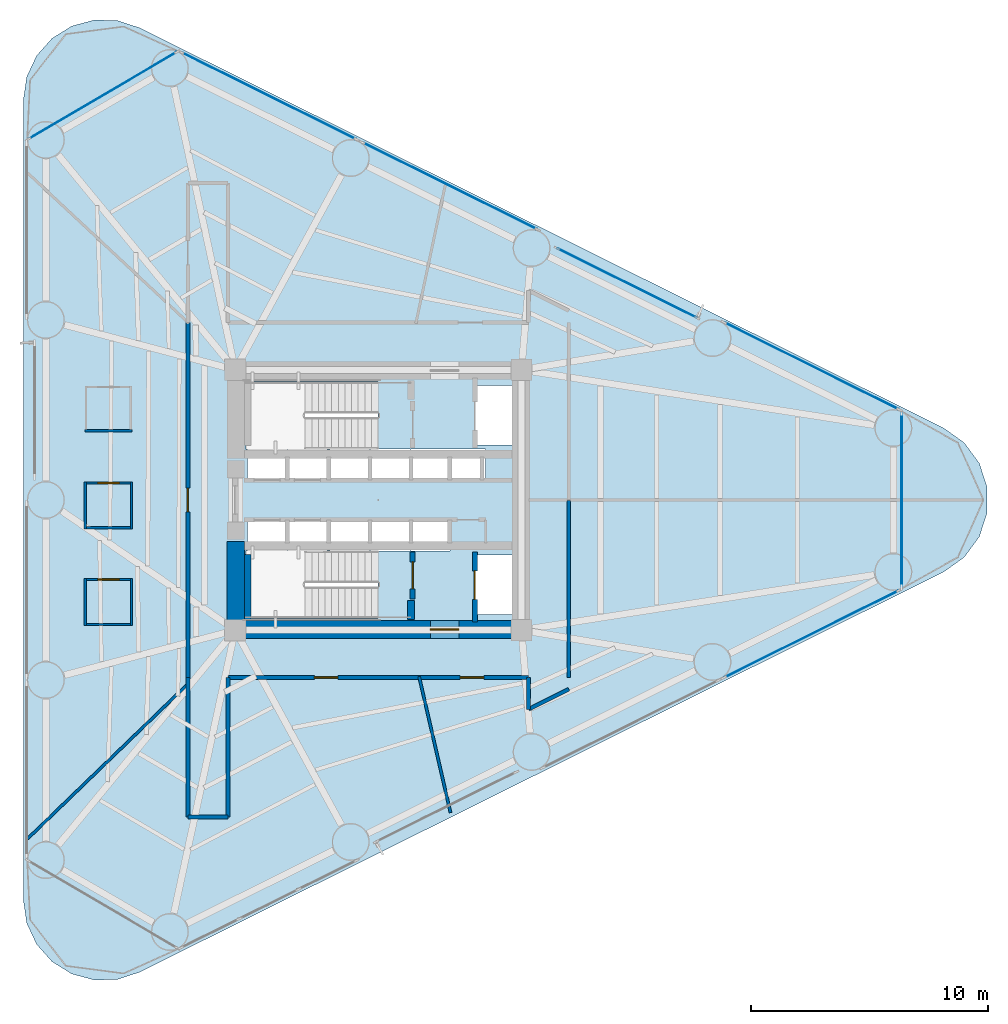
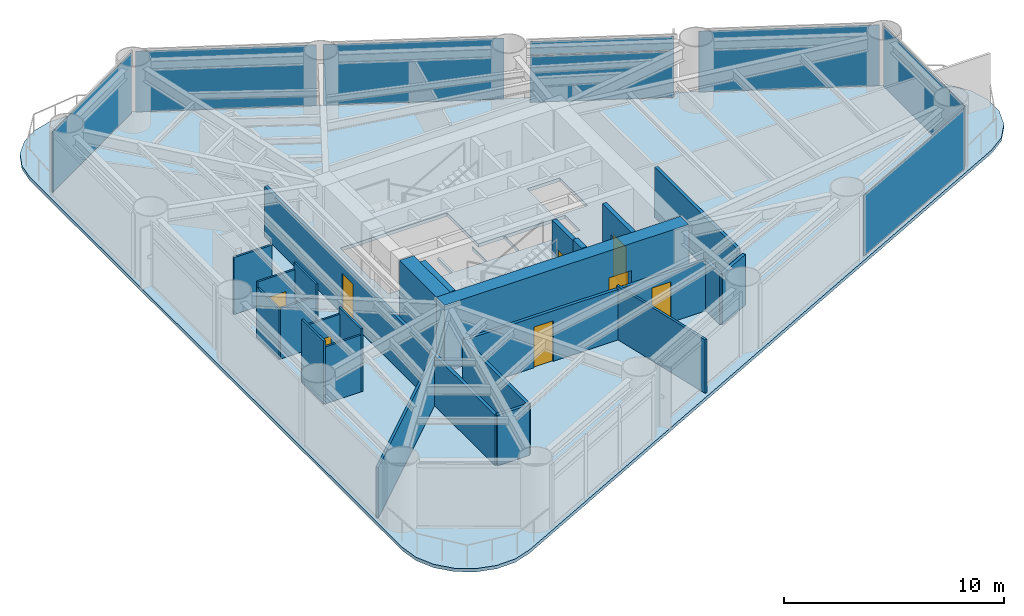
# One storey, part 5 of 10: 25 walls, 8 doors, 8 plates, 1 slab, 8 openings, 7 elements without a shape of their own.
"""IFC4 building model written with IfcOpenShell, lengths in metres."""

from ifc_helpers import new_model, si_unit, direction, frame, frame_2d, origin, origin_2d, place, context, subcontext, project, spatial, polyline, rectangle, outline, extrude, source, transform, mapped, material, layer, layer_set, type_object, element, fill, aggregate, save


model = new_model("IFC4")

# Units and contexts
model_context = context("Model", 3, precision=1e-05, world=origin(), true_north=direction((0.0, 1.0)))
body_context = subcontext(model_context, "Body", "Model", "MODEL_VIEW")
ifc_project = project(units=[si_unit("LENGTHUNIT", "METRE"), si_unit("AREAUNIT", "SQUARE_METRE"), si_unit("VOLUMEUNIT", "CUBIC_METRE"), si_unit("PLANEANGLEUNIT", "RADIAN"), si_unit("MASSUNIT", "GRAM", prefix="KILO")], contexts=[model_context])

# Site, building, storey
site_placement = place(None, origin())
site = spatial("IfcSite", under=ifc_project, at=site_placement, CompositionType="ELEMENT")
building_placement = place(site_placement, origin())
building = spatial("IfcBuilding", under=site, at=building_placement, Name="Yunling Apex Tower", CompositionType="ELEMENT")
storey_placement = place(building_placement, frame((0.0, 0.0, 27.5)))
storey = spatial("IfcBuildingStorey", under=building, at=storey_placement, Name="L08", CompositionType="ELEMENT", Elevation=27.5)

# Slab
ifc_material_1 = material(Name="Concrete C40", Category="concrete")
ifc_layer_1 = layer(ifc_material_1, 0.179931640625)
ifc_layer_set_1 = layer_set([ifc_layer_1], Name="Concrete C40")
slab_type = type_object("IfcSlabType", Name="SL-FLR-1", PredefinedType="FLOOR", material=ifc_layer_set_1)
slab_placement = place(storey_placement, frame((0.0, 0.0, -0.18505859375)))
element("IfcSlab", 1, at=slab_placement, inside=storey, type_object=slab_type, Name="L08 Composite Tower Floor Slab", PredefinedType="FLOOR", context=body_context, shape_type="SweptSolid", body=[
    extrude(outline(polyline([(-15.001953125, -16.909912109375), (-14.859619140625, -17.88330078125), (-14.444580078125, -18.775390625), (-13.79150390625, -19.510986328125), (-12.955078125, -20.029052734375), (-12.00537109375, -20.285888671875), (-11.02197265625, -20.260009765625), (-10.0869140625, -19.953857421875), (23.88818359375, -3.043701171875), (24.76123046875, -2.42041015625), (25.396484375, -1.555908203125), (25.730712890625, -0.536376953125), (25.730712890625, 0.536376953125), (25.396484375, 1.555908203125), (24.76123046875, 2.42041015625), (23.88818359375, 3.043701171875), (-10.0869140625, 19.953857421875), (-11.02197265625, 20.260009765625), (-12.00537109375, 20.285888671875), (-12.955078125, 20.029052734375), (-13.79150390625, 19.510986328125), (-14.444580078125, 18.775390625), (-14.859619140625, 17.88330078125), (-15.001953125, 16.909912109375), (-15.001953125, -16.909912109375)]), holes=[polyline([(5.81005859375, -2.320068359375), (5.81005859375, -4.840087890625), (4.090087890625, -4.840087890625), (4.090087890625, -2.320068359375), (5.81005859375, -2.320068359375)]), polyline([(5.81005859375, 4.840087890625), (5.81005859375, 2.320068359375), (4.090087890625, 2.320068359375), (4.090087890625, 4.840087890625), (5.81005859375, 4.840087890625)]), polyline([(1.364990234375, 2.1650390625), (4.534912109375, 2.1650390625), (4.534912109375, 0.794921875), (1.364990234375, 0.794921875), (1.364990234375, 2.1650390625)]), polyline([(3.034912109375, -0.794921875), (3.034912109375, -2.1650390625), (1.364990234375, -2.1650390625), (1.364990234375, -0.794921875), (3.034912109375, -0.794921875)]), polyline([(-5.534912109375, -0.794921875), (-3.864990234375, -0.794921875), (-3.864990234375, -2.139892578125), (-3.8349609375, -2.139892578125), (-3.8349609375, -0.794921875), (-2.1650390625, -0.794921875), (-2.1650390625, -2.139892578125), (-2.034912109375, -2.139892578125), (-2.034912109375, -0.794921875), (-0.364990234375, -0.794921875), (-0.364990234375, -2.139892578125), (-0.3349609375, -2.139892578125), (-0.3349609375, -0.794921875), (1.3349609375, -0.794921875), (1.3349609375, -2.1650390625), (-0.010009765625, -2.1650390625), (-0.010009765625, -5.010009765625), (-5.60009765625, -5.010009765625), (-5.60009765625, -2.139892578125), (-5.534912109375, -2.139892578125), (-5.534912109375, -0.794921875)]), polyline([(-5.60009765625, 2.139892578125), (-5.60009765625, 5.010009765625), (-0.010009765625, 5.010009765625), (-0.010009765625, 2.1650390625), (1.3349609375, 2.1650390625), (1.3349609375, 0.794921875), (-0.3349609375, 0.794921875), (-0.3349609375, 2.139892578125), (-0.364990234375, 2.139892578125), (-0.364990234375, 0.794921875), (-2.034912109375, 0.794921875), (-2.034912109375, 2.139892578125), (-2.1650390625, 2.139892578125), (-2.1650390625, 0.794921875), (-3.8349609375, 0.794921875), (-3.8349609375, 2.139892578125), (-3.864990234375, 2.139892578125), (-3.864990234375, 0.794921875), (-5.534912109375, 0.794921875), (-5.534912109375, 2.139892578125), (-5.60009765625, 2.139892578125)])]), origin(), (0.0, 0.0, 1.0), 0.18505859375),
])

# Curtain wall, plate
ifc_material_2 = material(Name="Bronze anodised aluminium", Category="aluminium")
ifc_layer_2 = layer(ifc_material_2, 0.260009765625)
ifc_layer_set_2 = layer_set([ifc_layer_2], Name="Bronze anodised aluminium")
curtain_wall_type = type_object("IfcCurtainWallType", Name="CW-SYS-2", PredefinedType="NOTDEFINED", material=ifc_layer_set_2)
curtain_wall_1_placement = place(storey_placement, origin())
curtain_wall_1 = element("IfcCurtainWall", 2, at=curtain_wall_1_placement, inside=storey, type_object=curtain_wall_type, Name="CW-L08-F1-B4", PredefinedType="NOTDEFINED")
ifc_material_3 = material(Name="Bronze tinted low-E glass", Category="glass")
ifc_layer_3 = layer(ifc_material_3, 0.033935546875)
ifc_layer_set_3 = layer_set([ifc_layer_3], Name="Bronze tinted low-E glass")
plate_type = type_object("IfcPlateType", Name="CW-PNL-2", PredefinedType="CURTAIN_PANEL", material=ifc_layer_set_3)
shared_shape_1 = source(origin(), body_context, "Body", "SweptSolid", [
    extrude(rectangle(XDim=8.225341796875, YDim=0.033935546875, at=origin_2d()), origin(), (0.0, 0.0, 1.0), 3.361572265625),
])
plate_1_placement = place(storey_placement, frame((18.304931640625, -5.666259765625, 0.07666015625), z_axis=(0.0, 0.0, 1.0), x_axis=(0.895242031011, 0.445580190214, 0.0)))
plate_1 = element("IfcPlate", 3, at=plate_1_placement, type_object=plate_type, Name="CW-SYS-2 panel 1.1", PredefinedType="CURTAIN_PANEL", context=body_context, shape_type="MappedRepresentation", body=[
    mapped(shared_shape_1, transform((0.0, 0.0, 0.0), scale=1.0)),
])
aggregate(curtain_wall_1, [plate_1])

curtain_wall_2_placement = place(storey_placement, origin())
curtain_wall_2 = element("IfcCurtainWall", 4, at=curtain_wall_2_placement, inside=storey, type_object=curtain_wall_type, Name="CW-L08-F2-B1", PredefinedType="NOTDEFINED")
plate_2_placement = place(storey_placement, frame((18.304931640625, 5.666259765625, 0.07666015625), z_axis=(0.0, 0.0, 1.0), x_axis=(-0.895242031011, 0.445580190214, 0.0)))
plate_2 = element("IfcPlate", 5, at=plate_2_placement, type_object=plate_type, Name="CW-SYS-2 panel 1.1", PredefinedType="CURTAIN_PANEL", context=body_context, shape_type="MappedRepresentation", body=[
    mapped(shared_shape_1, transform((0.0, 0.0, 0.0), scale=1.0)),
])
aggregate(curtain_wall_2, [plate_2])

curtain_wall_3_placement = place(storey_placement, origin())
curtain_wall_3 = element("IfcCurtainWall", 6, at=curtain_wall_3_placement, inside=storey, type_object=curtain_wall_type, Name="CW-L08-F2-B3", PredefinedType="NOTDEFINED")
plate_3_placement = place(storey_placement, frame((3.01611328125, 13.27587890625, 0.07666015625), z_axis=(0.0, 0.0, 1.0), x_axis=(-0.895242031011, 0.445580190214, 0.0)))
plate_3 = element("IfcPlate", 7, at=plate_3_placement, type_object=plate_type, Name="CW-SYS-2 panel 1.1", PredefinedType="CURTAIN_PANEL", context=body_context, shape_type="MappedRepresentation", body=[
    mapped(shared_shape_1, transform((0.0, 0.0, 0.0), scale=1.0)),
])
aggregate(curtain_wall_3, [plate_3])

curtain_wall_4_placement = place(storey_placement, origin())
curtain_wall_4 = element("IfcCurtainWall", 8, at=curtain_wall_4_placement, inside=storey, type_object=curtain_wall_type, Name="CW-L08-F2-B4", PredefinedType="NOTDEFINED")
plate_4_placement = place(storey_placement, frame((-4.62841796875, 17.08056640625, 0.07666015625), z_axis=(0.0, 0.0, 1.0), x_axis=(-0.895246791748, 0.445570625003, 0.0)))
plate_4 = element("IfcPlate", 9, at=plate_4_placement, type_object=plate_type, Name="CW-SYS-2 panel 1.1", PredefinedType="CURTAIN_PANEL", context=body_context, shape_type="MappedRepresentation", body=[
    mapped(shared_shape_1, transform((0.0, 0.0, 0.0), scale=1.0)),
])
aggregate(curtain_wall_4, [plate_4])

curtain_wall_5_placement = place(storey_placement, origin())
curtain_wall_5 = element("IfcCurtainWall", 10, at=curtain_wall_5_placement, inside=storey, type_object=curtain_wall_type, Name="CW-L08-CRN1", PredefinedType="NOTDEFINED")
shared_shape_2 = source(origin(), body_context, "Body", "SweptSolid", [
    extrude(rectangle(XDim=7.338623046875, YDim=0.033935546875, at=origin_2d()), origin(), (0.0, 0.0, 1.0), 3.361572265625),
])
plate_5_placement = place(storey_placement, frame((22.1181640625, 0.0, 0.07666015625), z_axis=(0.0, 0.0, 1.0), x_axis=(0.0, 1.0, 0.0)))
plate_5 = element("IfcPlate", 11, at=plate_5_placement, type_object=plate_type, Name="CW-SYS-2 panel 1.1", PredefinedType="CURTAIN_PANEL", context=body_context, shape_type="MappedRepresentation", body=[
    mapped(shared_shape_2, transform((0.0, 0.0, 0.0), scale=1.0)),
])
aggregate(curtain_wall_5, [plate_5])

curtain_wall_6_placement = place(storey_placement, origin())
curtain_wall_6 = element("IfcCurtainWall", 12, at=curtain_wall_6_placement, inside=storey, type_object=curtain_wall_type, Name="CW-L08-CRN2", PredefinedType="NOTDEFINED")
shared_shape_3 = source(origin(), body_context, "Body", "SweptSolid", [
    extrude(rectangle(XDim=7.247314453125, YDim=0.033935546875, at=origin_2d()), origin(), (0.0, 0.0, 1.0), 3.361572265625),
])
plate_6_placement = place(storey_placement, frame((-11.650634765625, 17.092041015625, 0.07666015625), z_axis=(0.0, 0.0, 1.0), x_axis=(-0.86241873323, -0.506195543811, 0.0)))
plate_6 = element("IfcPlate", 13, at=plate_6_placement, type_object=plate_type, Name="CW-SYS-2 panel 1.1", PredefinedType="CURTAIN_PANEL", context=body_context, shape_type="MappedRepresentation", body=[
    mapped(shared_shape_3, transform((0.0, 0.0, 0.0), scale=1.0)),
])
aggregate(curtain_wall_6, [plate_6])

# Curtain wall, plates
curtain_wall_7_placement = place(storey_placement, origin())
curtain_wall_7 = element("IfcCurtainWall", 14, at=curtain_wall_7_placement, inside=storey, type_object=curtain_wall_type, Name="CW-L08-F2-B2", PredefinedType="NOTDEFINED")
shared_shape_4 = source(origin(), body_context, "Body", "SweptSolid", [
    extrude(rectangle(XDim=6.54541015625, YDim=0.033935546875, at=origin_2d()), origin(), (0.0, 0.0, 1.0), 2.560302734375),
])
plate_7_placement = place(storey_placement, frame((10.509033203125, 9.166748046875, 0.07666015625), z_axis=(0.0, 0.0, 1.0), x_axis=(-0.895243732344, 0.445576771947, 0.0)))
plate_7 = element("IfcPlate", 15, at=plate_7_placement, type_object=plate_type, Name="CW-SYS-2 panel 1.1", PredefinedType="CURTAIN_PANEL", context=body_context, shape_type="MappedRepresentation", body=[
    mapped(shared_shape_4, transform((0.0, 0.0, 0.0), scale=1.0)),
])
shared_shape_5 = source(origin(), body_context, "Body", "SweptSolid", [
    extrude(rectangle(XDim=6.54541015625, YDim=0.033935546875, at=origin_2d()), origin(), (0.0, 0.0, 1.0), 0.732666015625),
])
plate_8_placement = place(storey_placement, frame((10.509033203125, 9.166748046875, 2.70556640625), z_axis=(0.0, 0.0, 1.0), x_axis=(-0.895243732344, 0.445576771947, 0.0)))
plate_8 = element("IfcPlate", 16, at=plate_8_placement, type_object=plate_type, Name="CW-SYS-2 panel 1.2", PredefinedType="CURTAIN_PANEL", context=body_context, shape_type="MappedRepresentation", body=[
    mapped(shared_shape_5, transform((0.0, 0.0, 0.0), scale=1.0)),
])
aggregate(curtain_wall_7, [plate_7, plate_8])

# Wall, opening, door
ifc_material_4 = material(Name="Concrete C60", Category="concrete")
ifc_layer_4 = layer(ifc_material_4, 0.75)
ifc_layer_set_4 = layer_set([ifc_layer_4], Name="Concrete C60")
wall_type_1 = type_object("IfcWallType", Name="WL-COR-1", PredefinedType="SHEAR", material=ifc_layer_set_4)
wall_1_placement = place(storey_placement, frame((-6.39990234375, -5.47509765625, 0.0), z_axis=(0.0, 0.0, 1.0), x_axis=(1.0, 0.0, 0.0)))
wall_1 = element("IfcWall", 17, at=wall_1_placement, inside=storey, type_object=wall_type_1, Name="L08 South Core Shear Wall", PredefinedType="SHEAR", context=body_context, shape_type="SweptSolid", body=[
    extrude(rectangle(XDim=12.7998046875, YDim=0.75, at=frame_2d((6.39990234375, 0.0))), origin(), (0.0, 0.0, 1.0), 3.699951171875),
])
opening_1_placement = place(wall_1_placement, frame((8.60009765625, 0.0, 0.0)))
opening_1 = element("IfcOpeningElement", 18, at=opening_1_placement, cuts=wall_1, Name="Opening DR-FFL-1", PredefinedType="OPENING", context=body_context, shape_type="SweptSolid", body=[
    extrude(rectangle(XDim=1.199951171875, YDim=2.199951171875, at=frame_2d((0.60009765625, 1.10009765625))), frame((0.0, 0.385009765625, 0.0), z_axis=(0.0, -1.0, 0.0), x_axis=(1.0, 0.0, 0.0)), (0.0, 0.0, 1.0), 0.77001953125),
])
ifc_material_5 = material(Name="Steel Q355B", Category="steel")
door_type_1 = type_object("IfcDoorType", Name="DR-FFL-1", OperationType="NOTDEFINED", PredefinedType="DOOR", material=ifc_material_5)
door_1_placement = place(opening_1_placement, origin())
door_1 = element("IfcDoor", 19, at=door_1_placement, inside=storey, type_object=door_type_1, Name="L08 South Firefighting Lobby Door", OperationType="SINGLE_SWING_RIGHT", OverallHeight=2.199951171875, OverallWidth=1.199951171875, PredefinedType="DOOR", context=body_context, shape_type="SweptSolid", body=[
    extrude(rectangle(XDim=1.199951171875, YDim=2.199951171875, at=frame_2d((0.60009765625, 1.10009765625))), frame((0.0, 0.02490234375, 0.0), z_axis=(0.0, -1.0, 0.0), x_axis=(1.0, 0.0, 0.0)), (0.0, 0.0, 1.0), 0.050048828125),
])
fill(opening_1, door_1)

# Walls
wall_2_placement = place(storey_placement, frame((-6.02490234375, -5.10009765625, 0.0), z_axis=(0.0, 0.0, 1.0), x_axis=(0.0, 1.0, 0.0)))
element("IfcWall", 20, at=wall_2_placement, inside=storey, type_object=wall_type_1, Name="L08 West-South Core Shear Wall", PredefinedType="SHEAR", context=body_context, shape_type="SweptSolid", body=[
    extrude(rectangle(XDim=3.35009765625, YDim=0.75, at=frame_2d((1.675048828125, 0.0))), origin(), (0.0, 0.0, 1.0), 3.699951171875),
])
ifc_layer_5 = layer(ifc_material_1, 0.280029296875)
ifc_layer_set_5 = layer_set([ifc_layer_5], Name="Concrete C40")
wall_type_2 = type_object("IfcWallType", Name="WL-COR-8", PredefinedType="SHEAR", material=ifc_layer_set_5)
wall_3_placement = place(storey_placement, frame((-5.52001953125, -5.050048828125, 0.0), z_axis=(0.0, 0.0, 1.0), x_axis=(0.0, 1.0, 0.0)))
element("IfcWall", 21, at=wall_3_placement, inside=storey, type_object=wall_type_2, Name="L08 ST-2 West Landing Bearing Wall", PredefinedType="SHEAR", context=body_context, shape_type="SweptSolid", body=[
    extrude(rectangle(XDim=2.75, YDim=0.280029296875, at=frame_2d((1.375, 0.0))), origin(), (0.0, 0.0, 1.0), 3.699951171875),
])
wall_4_placement = place(storey_placement, frame((1.3798828125, -5.050048828125, 0.0), z_axis=(0.0, 0.0, 1.0), x_axis=(0.0, 1.0, 0.0)))
element("IfcWall", 22, at=wall_4_placement, inside=storey, type_object=wall_type_2, Name="L08 ST-2 East Landing Bearing Pier", PredefinedType="SHEAR", context=body_context, shape_type="SweptSolid", body=[
    extrude(rectangle(XDim=0.800048828125, YDim=0.280029296875, at=frame_2d((0.39990234375, 0.0))), origin(), (0.0, 0.0, 1.0), 3.699951171875),
])

# Wall, openings, doors
ifc_material_6 = material(Name="Gypsum board acoustic partition")
ifc_layer_6 = layer(ifc_material_6, 0.159912109375)
ifc_layer_set_6 = layer_set([ifc_layer_6], Name="Gypsum board acoustic partition")
wall_type_3 = type_object("IfcWallType", Name="WL-PRT-1", PredefinedType="PARTITIONING", material=ifc_layer_set_6)
wall_5_placement = place(storey_placement, frame((6.35009765625, -7.5, 0.0), z_axis=(0.0, 0.0, 1.0), x_axis=(-1.0, 0.0, 0.0)))
wall_5 = element("IfcWall", 23, at=wall_5_placement, inside=storey, type_object=wall_type_3, Name="WL-CORR-L08-01", PredefinedType="PARTITIONING", context=body_context, shape_type="SweptSolid", body=[
    extrude(rectangle(XDim=12.7001953125, YDim=0.159912109375, at=frame_2d((6.35009765625, 0.0))), origin(), (0.0, 0.0, 1.0), 2.800048828125),
])
opening_2_placement = place(wall_5_placement, frame((1.89306640625, 0.0, 0.0)))
opening_2 = element("IfcOpeningElement", 24, at=opening_2_placement, cuts=wall_5, Name="Opening DR-OFF-1", PredefinedType="OPENING", context=body_context, shape_type="SweptSolid", body=[
    extrude(rectangle(XDim=1.0, YDim=2.25, at=frame_2d((0.5, 1.125))), frame((0.0, 0.08984375, 0.0), z_axis=(0.0, -1.0, 0.0), x_axis=(1.0, 0.0, 0.0)), (0.0, 0.0, 1.0), 0.179931640625),
])
opening_3_placement = place(wall_5_placement, frame((8.056884765625, 0.0, 0.0)))
opening_3 = element("IfcOpeningElement", 25, at=opening_3_placement, cuts=wall_5, Name="Opening DR-OFF-1", PredefinedType="OPENING", context=body_context, shape_type="SweptSolid", body=[
    extrude(rectangle(XDim=1.0, YDim=2.25, at=frame_2d((0.5, 1.125))), frame((0.0, 0.08984375, 0.0), z_axis=(0.0, -1.0, 0.0), x_axis=(1.0, 0.0, 0.0)), (0.0, 0.0, 1.0), 0.179931640625),
])
door_type_2 = type_object("IfcDoorType", Name="DR-OFF-1", OperationType="NOTDEFINED", PredefinedType="DOOR", material=ifc_material_2)
door_2_placement = place(opening_2_placement, origin())
door_2 = element("IfcDoor", 26, at=door_2_placement, inside=storey, type_object=door_type_2, Name="L08 Open Plan Office Door", OperationType="SINGLE_SWING_RIGHT", OverallHeight=2.25, OverallWidth=1.0, PredefinedType="DOOR", context=body_context, shape_type="SweptSolid", body=[
    extrude(rectangle(XDim=1.0, YDim=2.25, at=frame_2d((0.5, 1.125))), frame((0.0, 0.02490234375, 0.0), z_axis=(0.0, -1.0, 0.0), x_axis=(1.0, 0.0, 0.0)), (0.0, 0.0, 1.0), 0.050048828125),
])
fill(opening_2, door_2)
door_3_placement = place(opening_3_placement, origin())
door_3 = element("IfcDoor", 27, at=door_3_placement, inside=storey, type_object=door_type_2, Name="L08 Open Plan Office Door", OperationType="SINGLE_SWING_LEFT", OverallHeight=2.25, OverallWidth=1.0, PredefinedType="DOOR", context=body_context, shape_type="SweptSolid", body=[
    extrude(rectangle(XDim=1.0, YDim=2.25, at=frame_2d((0.5, 1.125))), frame((0.0, 0.02490234375, 0.0), z_axis=(0.0, -1.0, 0.0), x_axis=(1.0, 0.0, 0.0)), (0.0, 0.0, 1.0), 0.050048828125),
])
fill(opening_3, door_3)

# Walls
wall_6_placement = place(storey_placement, frame((-6.35009765625, -7.5, 0.0), z_axis=(0.0, 0.0, 1.0), x_axis=(0.0, -1.0, 0.0)))
element("IfcWall", 28, at=wall_6_placement, inside=storey, type_object=wall_type_3, Name="WL-CORR-L08-02", PredefinedType="PARTITIONING", context=body_context, shape_type="SweptSolid", body=[
    extrude(rectangle(XDim=5.89990234375, YDim=0.159912109375, at=frame_2d((2.949951171875, 0.0))), origin(), (0.0, 0.0, 1.0), 2.800048828125),
])
wall_7_placement = place(storey_placement, frame((-6.35009765625, -13.39990234375, 0.0), z_axis=(0.0, 0.0, 1.0), x_axis=(-1.0, 0.0, 0.0)))
element("IfcWall", 29, at=wall_7_placement, inside=storey, type_object=wall_type_3, Name="WL-CORR-L08-03", PredefinedType="PARTITIONING", context=body_context, shape_type="SweptSolid", body=[
    extrude(rectangle(XDim=1.699951171875, YDim=0.159912109375, at=frame_2d((0.85009765625, 0.0))), origin(), (0.0, 0.0, 1.0), 2.800048828125),
])
wall_8_placement = place(storey_placement, frame((-8.050048828125, -13.39990234375, 0.0), z_axis=(0.0, 0.0, 1.0), x_axis=(0.0, 1.0, 0.0)))
element("IfcWall", 30, at=wall_8_placement, inside=storey, type_object=wall_type_3, Name="WL-CORR-L08-04", PredefinedType="PARTITIONING", context=body_context, shape_type="SweptSolid", body=[
    extrude(rectangle(XDim=5.89990234375, YDim=0.159912109375, at=frame_2d((2.949951171875, 0.0))), origin(), (0.0, 0.0, 1.0), 2.800048828125),
])

# Wall, opening, door
wall_9_placement = place(storey_placement, frame((-8.050048828125, -7.5, 0.0), z_axis=(0.0, 0.0, 1.0), x_axis=(0.0, 1.0, 0.0)))
wall_9 = element("IfcWall", 31, at=wall_9_placement, inside=storey, type_object=wall_type_3, Name="WL-CORR-L08-05", PredefinedType="PARTITIONING", context=body_context, shape_type="SweptSolid", body=[
    extrude(rectangle(XDim=15.0, YDim=0.159912109375, at=frame_2d((7.5, 0.0))), origin(), (0.0, 0.0, 1.0), 2.800048828125),
])
opening_4_placement = place(wall_9_placement, frame((7.0, 0.0, 0.0)))
opening_4 = element("IfcOpeningElement", 32, at=opening_4_placement, cuts=wall_9, Name="Opening DR-OFF-1", PredefinedType="OPENING", context=body_context, shape_type="SweptSolid", body=[
    extrude(rectangle(XDim=1.0, YDim=2.25, at=frame_2d((0.5, 1.125))), frame((0.0, 0.08984375, 0.0), z_axis=(0.0, -1.0, 0.0), x_axis=(1.0, 0.0, 0.0)), (0.0, 0.0, 1.0), 0.179931640625),
])
door_4_placement = place(opening_4_placement, origin())
door_4 = element("IfcDoor", 33, at=door_4_placement, inside=storey, type_object=door_type_2, Name="L08 Service Foyer Lounge Door", OperationType="SINGLE_SWING_RIGHT", OverallHeight=2.25, OverallWidth=1.0, PredefinedType="DOOR", context=body_context, shape_type="SweptSolid", body=[
    extrude(rectangle(XDim=1.0, YDim=2.25, at=frame_2d((0.5, 1.125))), frame((0.0, 0.02490234375, 0.0), z_axis=(0.0, -1.0, 0.0), x_axis=(1.0, 0.0, 0.0)), (0.0, 0.0, 1.0), 0.050048828125),
])
fill(opening_4, door_4)

# Walls
wall_10_placement = place(storey_placement, frame((8.050048828125, -0.02001953125, 0.0), z_axis=(0.0, 0.0, 1.0), x_axis=(0.0, -1.0, 0.0)))
element("IfcWall", 34, at=wall_10_placement, inside=storey, type_object=wall_type_3, Name="WL-CORR-L08-14", PredefinedType="PARTITIONING", context=body_context, shape_type="SweptSolid", body=[
    extrude(rectangle(XDim=7.47998046875, YDim=0.159912109375, at=frame_2d((3.739990234375, 0.0))), origin(), (0.0, 0.0, 1.0), 2.800048828125),
])
wall_11_placement = place(storey_placement, frame((8.050048828125, -8.000244140625, 0.0), z_axis=(0.0, 0.0, 1.0), x_axis=(-0.895274181873, -0.445515588136, 0.0)))
element("IfcWall", 35, at=wall_11_placement, inside=storey, type_object=wall_type_3, Name="WL-CORR-L08-16", PredefinedType="PARTITIONING", context=body_context, shape_type="SweptSolid", body=[
    extrude(rectangle(XDim=1.89892578125, YDim=0.159912109375, at=frame_2d((0.949462890625, 0.0))), origin(), (0.0, 0.0, 1.0), 2.800048828125),
])
wall_12_placement = place(storey_placement, frame((6.35009765625, -8.84619140625, 0.0), z_axis=(0.0, 0.0, 1.0), x_axis=(0.0, 1.0, 0.0)))
element("IfcWall", 36, at=wall_12_placement, inside=storey, type_object=wall_type_3, Name="WL-CORR-L08-17", PredefinedType="PARTITIONING", context=body_context, shape_type="SweptSolid", body=[
    extrude(rectangle(XDim=1.34619140625, YDim=0.159912109375, at=frame_2d((0.673095703125, 0.0))), origin(), (0.0, 0.0, 1.0), 2.800048828125),
])
ifc_layer_7 = layer(ifc_material_6, 0.1201171875)
ifc_layer_set_7 = layer_set([ifc_layer_7], Name="Gypsum board acoustic partition")
wall_type_4 = type_object("IfcWallType", Name="WL-PRT-3", PredefinedType="PARTITIONING", material=ifc_layer_set_7)
wall_13_placement = place(storey_placement, frame((-8.010009765625, -7.735107421875, 0.0), z_axis=(0.0, 0.0, 1.0), x_axis=(-0.719335268178, -0.694663063618, 0.0)))
element("IfcWall", 37, at=wall_13_placement, inside=storey, type_object=wall_type_4, Name="WL-RAD-L08-04", PredefinedType="PARTITIONING", context=body_context, shape_type="SweptSolid", body=[
    extrude(rectangle(XDim=9.469970703125, YDim=0.1201171875, at=frame_2d((4.73486328125, 0.0))), origin(), (0.0, 0.0, 1.0), 2.800048828125),
])
wall_14_placement = place(storey_placement, frame((1.722412109375, -7.4599609375, 0.0), z_axis=(0.0, 0.0, 1.0), x_axis=(0.22494706926, -0.974370984806, 0.0)))
element("IfcWall", 38, at=wall_14_placement, inside=storey, type_object=wall_type_4, Name="WL-RAD-L08-05", PredefinedType="PARTITIONING", context=body_context, shape_type="SweptSolid", body=[
    extrude(rectangle(XDim=5.9052734375, YDim=0.1201171875, at=frame_2d((2.95263671875, 0.0))), origin(), (0.0, 0.0, 1.0), 2.9599609375),
])

# Wall, opening, door
ifc_layer_8 = layer(ifc_material_6, 0.10009765625)
ifc_layer_set_8 = layer_set([ifc_layer_8], Name="Gypsum board acoustic partition")
wall_type_5 = type_object("IfcWallType", Name="WL-PRT-4", PredefinedType="PARTITIONING", material=ifc_layer_set_8)
wall_15_placement = place(storey_placement, frame((-12.430908203125, 0.719970703125, 0.0), z_axis=(0.0, 0.0, 1.0), x_axis=(1.0, 0.0, 0.0)))
wall_15 = element("IfcWall", 39, at=wall_15_placement, inside=storey, type_object=wall_type_5, Name="WL-L08-WCMN", PredefinedType="PARTITIONING", context=body_context, shape_type="SweptSolid", body=[
    extrude(rectangle(XDim=2.0498046875, YDim=0.10009765625, at=frame_2d((1.02490234375, 0.0))), origin(), (0.0, 0.0, 1.0), 3.14990234375),
])
opening_5_placement = place(wall_15_placement, frame((0.56494140625, 0.0, 0.0)))
opening_5 = element("IfcOpeningElement", 40, at=opening_5_placement, cuts=wall_15, Name="Opening DR-WC-1", PredefinedType="OPENING", context=body_context, shape_type="SweptSolid", body=[
    extrude(rectangle(XDim=0.919921875, YDim=2.10009765625, at=frame_2d((0.4599609375, 1.050048828125))), frame((0.0, 0.06005859375, 0.0), z_axis=(0.0, -1.0, 0.0), x_axis=(1.0, 0.0, 0.0)), (0.0, 0.0, 1.0), 0.1201171875),
])
ifc_material_7 = material(Name="Timber moisture-resistant leaf", Category="wood")
door_type_3 = type_object("IfcDoorType", Name="DR-WC-1", OperationType="NOTDEFINED", PredefinedType="DOOR", material=ifc_material_7)
door_5_placement = place(opening_5_placement, origin())
door_5 = element("IfcDoor", 41, at=door_5_placement, inside=storey, type_object=door_type_3, Name="L08 Male Toilet Door", OperationType="SINGLE_SWING_LEFT", OverallHeight=2.10009765625, OverallWidth=0.919921875, PredefinedType="DOOR", context=body_context, shape_type="SweptSolid", body=[
    extrude(rectangle(XDim=0.919921875, YDim=2.10009765625, at=frame_2d((0.4599609375, 1.050048828125))), frame((0.0, 0.02490234375, 0.0), z_axis=(0.0, -1.0, 0.0), x_axis=(1.0, 0.0, 0.0)), (0.0, 0.0, 1.0), 0.050048828125),
])
fill(opening_5, door_5)

# Walls
wall_16_placement = place(storey_placement, frame((-10.381103515625, -1.179931640625, 0.0), z_axis=(0.0, 0.0, 1.0), x_axis=(-1.0, 0.0, 0.0)))
element("IfcWall", 42, at=wall_16_placement, inside=storey, type_object=wall_type_5, Name="WL-L08-WCMS", PredefinedType="PARTITIONING", context=body_context, shape_type="SweptSolid", body=[
    extrude(rectangle(XDim=2.0498046875, YDim=0.10009765625, at=frame_2d((1.02490234375, 0.0))), origin(), (0.0, 0.0, 1.0), 2.800048828125),
])
wall_17_placement = place(storey_placement, frame((-10.430908203125, 0.77001953125, 0.0), z_axis=(0.0, 0.0, 1.0), x_axis=(0.0, -1.0, 0.0)))
element("IfcWall", 43, at=wall_17_placement, inside=storey, type_object=wall_type_5, Name="WL-L08-WCME", PredefinedType="PARTITIONING", context=body_context, shape_type="SweptSolid", body=[
    extrude(rectangle(XDim=2.0, YDim=0.10009765625, at=frame_2d((1.0, 0.0))), origin(), (0.0, 0.0, 1.0), 3.4951171875),
])
wall_18_placement = place(storey_placement, frame((-12.381103515625, -1.22998046875, 0.0), z_axis=(0.0, 0.0, 1.0), x_axis=(0.0, 1.0, 0.0)))
element("IfcWall", 44, at=wall_18_placement, inside=storey, type_object=wall_type_5, Name="WL-L08-WCMW", PredefinedType="PARTITIONING", context=body_context, shape_type="SweptSolid", body=[
    extrude(rectangle(XDim=2.0, YDim=0.10009765625, at=frame_2d((1.0, 0.0))), origin(), (0.0, 0.0, 1.0), 2.800048828125),
])

# Wall, opening, door
wall_19_placement = place(storey_placement, frame((-12.430908203125, -3.361083984375, 0.0), z_axis=(0.0, 0.0, 1.0), x_axis=(1.0, 0.0, 0.0)))
wall_19 = element("IfcWall", 45, at=wall_19_placement, inside=storey, type_object=wall_type_5, Name="WL-L08-WCFN", PredefinedType="PARTITIONING", context=body_context, shape_type="SweptSolid", body=[
    extrude(rectangle(XDim=2.0498046875, YDim=0.10009765625, at=frame_2d((1.02490234375, 0.0))), origin(), (0.0, 0.0, 1.0), 3.14990234375),
])
opening_6_placement = place(wall_19_placement, frame((0.56494140625, 0.0, 0.0)))
opening_6 = element("IfcOpeningElement", 46, at=opening_6_placement, cuts=wall_19, Name="Opening DR-WC-1", PredefinedType="OPENING", context=body_context, shape_type="SweptSolid", body=[
    extrude(rectangle(XDim=0.919921875, YDim=2.10009765625, at=frame_2d((0.4599609375, 1.050048828125))), frame((0.0, 0.06005859375, 0.0), z_axis=(0.0, -1.0, 0.0), x_axis=(1.0, 0.0, 0.0)), (0.0, 0.0, 1.0), 0.1201171875),
])
door_6_placement = place(opening_6_placement, origin())
door_6 = element("IfcDoor", 47, at=door_6_placement, inside=storey, type_object=door_type_3, Name="L08 Female Toilet Door", OperationType="SINGLE_SWING_RIGHT", OverallHeight=2.10009765625, OverallWidth=0.919921875, PredefinedType="DOOR", context=body_context, shape_type="SweptSolid", body=[
    extrude(rectangle(XDim=0.919921875, YDim=2.10009765625, at=frame_2d((0.4599609375, 1.050048828125))), frame((0.0, 0.02490234375, 0.0), z_axis=(0.0, -1.0, 0.0), x_axis=(1.0, 0.0, 0.0)), (0.0, 0.0, 1.0), 0.050048828125),
])
fill(opening_6, door_6)

# Walls
wall_20_placement = place(storey_placement, frame((-10.381103515625, -5.260986328125, 0.0), z_axis=(0.0, 0.0, 1.0), x_axis=(-1.0, 0.0, 0.0)))
element("IfcWall", 48, at=wall_20_placement, inside=storey, type_object=wall_type_5, Name="WL-L08-WCFS", PredefinedType="PARTITIONING", context=body_context, shape_type="SweptSolid", body=[
    extrude(rectangle(XDim=2.0498046875, YDim=0.10009765625, at=frame_2d((1.02490234375, 0.0))), origin(), (0.0, 0.0, 1.0), 3.14990234375),
])
for number, where, z_axis, x_axis, name in (
    (49, (-10.430908203125, -3.31103515625, 0.0), (0.0, 0.0, 1.0), (0.0, -1.0, 0.0), "WL-L08-WCFE"),
    (50, (-12.381103515625, -5.31103515625, 0.0), (0.0, 0.0, 1.0), (0.0, 1.0, 0.0), "WL-L08-WCFW"),
):
    element("IfcWall", number, at=place(storey_placement, frame(where, z_axis=z_axis, x_axis=x_axis)), inside=storey, type_object=wall_type_5, Name=name, PredefinedType="PARTITIONING", context=body_context, shape_type="SweptSolid", body=[
        extrude(rectangle(XDim=2.0, YDim=0.10009765625, at=frame_2d((1.0, 0.0))), origin(), (0.0, 0.0, 1.0), 3.4951171875),
    ])
wall_21_placement = place(storey_placement, frame((-10.406005859375, 2.926025390625, 0.0), z_axis=(0.0, 0.0, 1.0), x_axis=(-1.0, 0.0, 0.0)))
element("IfcWall", 51, at=wall_21_placement, inside=storey, type_object=wall_type_5, Name="WL-L08-WCAS", PredefinedType="PARTITIONING", context=body_context, shape_type="SweptSolid", body=[
    extrude(rectangle(XDim=2.0, YDim=0.10009765625, at=frame_2d((1.0, 0.0))), origin(), (0.0, 0.0, 1.0), 3.14990234375),
])

# Wall, opening, door
ifc_material_8 = material(Name="Autoclaved aerated concrete masonry", Category="masonry")
ifc_layer_9 = layer(ifc_material_8, 0.219970703125)
ifc_layer_set_9 = layer_set([ifc_layer_9], Name="Autoclaved aerated concrete masonry")
wall_type_6 = type_object("IfcWallType", Name="WL-SHF-1", PredefinedType="PLUMBINGWALL", material=ifc_layer_set_9)
wall_22_placement = place(storey_placement, frame((1.449951171875, -4.179931640625, 0.0), z_axis=(0.0, 0.0, 1.0), x_axis=(0.0, 1.0, 0.0)))
wall_22 = element("IfcWall", 52, at=wall_22_placement, inside=storey, type_object=wall_type_6, Name="WL-ST2-E-L08", PredefinedType="PLUMBINGWALL", context=body_context, shape_type="SweptSolid", body=[
    extrude(rectangle(XDim=1.97998046875, YDim=0.219970703125, at=frame_2d((0.989990234375, 0.0))), origin(), (0.0, 0.0, 1.0), 3.4951171875),
])
opening_7_placement = place(wall_22_placement, frame((0.419921875, 0.0, 0.0)))
opening_7 = element("IfcOpeningElement", 53, at=opening_7_placement, cuts=wall_22, Name="Opening DR-ST-1", PredefinedType="OPENING", context=body_context, shape_type="SweptSolid", body=[
    extrude(rectangle(XDim=1.14990234375, YDim=2.14990234375, at=frame_2d((0.574951171875, 1.074951171875))), frame((0.0, 0.1201171875, 0.0), z_axis=(0.0, -1.0, 0.0), x_axis=(1.0, 0.0, 0.0)), (0.0, 0.0, 1.0), 0.239990234375),
])
door_type_4 = type_object("IfcDoorType", Name="DR-ST-1", OperationType="NOTDEFINED", PredefinedType="DOOR", material=ifc_material_5)
door_7_placement = place(opening_7_placement, origin())
door_7 = element("IfcDoor", 54, at=door_7_placement, inside=storey, type_object=door_type_4, Name="L08 Stair ST-2 Fire Door", OperationType="SINGLE_SWING_LEFT", OverallHeight=2.14990234375, OverallWidth=1.14990234375, PredefinedType="DOOR", context=body_context, shape_type="SweptSolid", body=[
    extrude(rectangle(XDim=1.14990234375, YDim=2.14990234375, at=frame_2d((0.574951171875, 1.074951171875))), frame((0.0, 0.02490234375, 0.0), z_axis=(0.0, -1.0, 0.0), x_axis=(1.0, 0.0, 0.0)), (0.0, 0.0, 1.0), 0.050048828125),
])
fill(opening_7, door_7)

wall_23_placement = place(storey_placement, frame((4.080078125, -5.14990234375, 0.0), z_axis=(0.0, 0.0, 1.0), x_axis=(0.0, 1.0, 0.0)))
wall_23 = element("IfcWall", 55, at=wall_23_placement, inside=storey, type_object=wall_type_6, Name="WL-FFL2-W-L08", PredefinedType="PLUMBINGWALL", context=body_context, shape_type="SweptSolid", body=[
    extrude(rectangle(XDim=2.949951171875, YDim=0.219970703125, at=frame_2d((1.47509765625, 0.0))), origin(), (0.0, 0.0, 1.0), 3.4951171875),
])
opening_8_placement = place(wall_23_placement, frame((0.949951171875, 0.0, 0.0)))
opening_8 = element("IfcOpeningElement", 56, at=opening_8_placement, cuts=wall_23, Name="Opening LD-FFL-1", PredefinedType="OPENING", context=body_context, shape_type="SweptSolid", body=[
    extrude(rectangle(XDim=1.199951171875, YDim=2.25, at=frame_2d((0.60009765625, 1.125))), frame((0.0, 0.1201171875, 0.0), z_axis=(0.0, -1.0, 0.0), x_axis=(1.0, 0.0, 0.0)), (0.0, 0.0, 1.0), 0.239990234375),
])
door_type_5 = type_object("IfcDoorType", Name="LD-FFL-1", OperationType="DOUBLE_DOOR_SLIDING", PredefinedType="DOOR", material=ifc_material_5)
door_8_placement = place(opening_8_placement, origin())
door_8 = element("IfcDoor", 57, at=door_8_placement, inside=storey, type_object=door_type_5, Name="L08 Lift FFL-2 Landing Door", OperationType="DOUBLE_DOOR_SLIDING", OverallHeight=2.25, OverallWidth=1.199951171875, PredefinedType="DOOR", context=body_context, shape_type="SweptSolid", body=[
    extrude(rectangle(XDim=1.199951171875, YDim=2.25, at=frame_2d((0.60009765625, 1.125))), frame((0.0, 0.02490234375, 0.0), z_axis=(0.0, -1.0, 0.0), x_axis=(1.0, 0.0, 0.0)), (0.0, 0.0, 1.0), 0.050048828125),
])
fill(opening_8, door_8)

save(model, "model.ifc")
